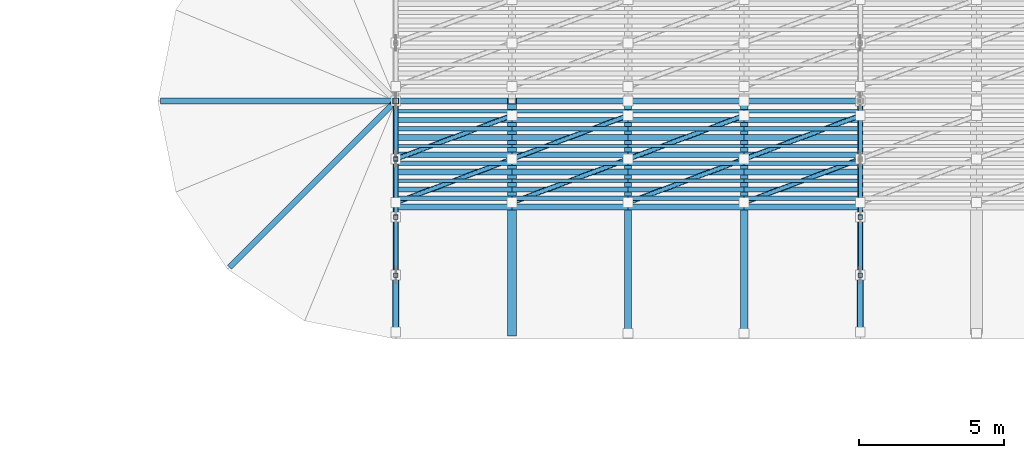
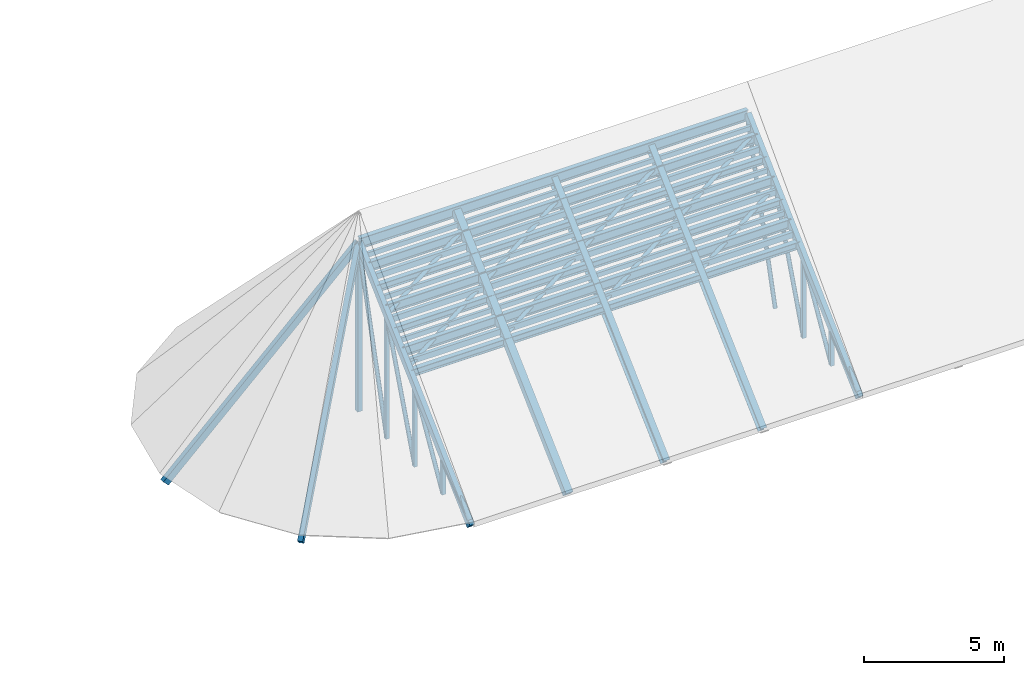
# One storey, part 1 of 18: 78 members.
"""IFC4 building model written with IfcOpenShell, lengths in metres."""

from ifc_helpers import new_model, si_unit, direction, frame, origin, origin_2d, place, context, subcontext, project, spatial, hollow_rectangle, hollow_circle, i_section, extrude, material, material_profile, profile_set, type_object, element, save


model = new_model("IFC4")

# Units and contexts
model_context = context("Model", 3, precision=1e-05, world=origin(), true_north=direction((0.0, 1.0)))
body_context = subcontext(model_context, "Body", "Model", "MODEL_VIEW")
ifc_project = project(units=[si_unit("LENGTHUNIT", "METRE"), si_unit("AREAUNIT", "SQUARE_METRE"), si_unit("VOLUMEUNIT", "CUBIC_METRE"), si_unit("PLANEANGLEUNIT", "RADIAN"), si_unit("MASSUNIT", "GRAM", prefix="KILO")], contexts=[model_context])

# Site, building, storey
site_placement = place(None, origin())
site = spatial("IfcSite", under=ifc_project, at=site_placement, CompositionType="ELEMENT")
building_placement = place(site_placement, origin())
building = spatial("IfcBuilding", under=site, at=building_placement, Name="Serraluz Foothill Cableway Terminal", CompositionType="ELEMENT")
storey_placement = place(building_placement, frame((0.0, 0.0, 24.300048828125)))
storey = spatial("IfcBuildingStorey", under=building, at=storey_placement, Name="RF", CompositionType="ELEMENT", Elevation=24.300048828125)

# Members
ifc_material_1 = material(Name="Steel ASTM A572 Grade 50", Category="steel")
ifc_material_profile_1 = material_profile(ifc_material_1, hollow_circle(Radius=0.084228515625, WallThickness=0.010009765625, at=origin_2d()), Name="CHS168X10")
ifc_profile_set_1 = profile_set([ifc_material_profile_1], Name="Steel ASTM A572 Grade 50")
member_type_1 = type_object("IfcMemberType", Name="TYP-BR-CHS168", PredefinedType="BRACE", material=ifc_profile_set_1)
member_1_placement = place(storey_placement, frame((40.0, 58.0302734375, -4.568115234375), z_axis=(0.0, 0.502584169831, 0.864528283074), x_axis=(-1.0, 0.0, 0.0)))
element("IfcMember", 1, at=member_1_placement, inside=storey, type_object=member_type_1, Name="ROOF TRUSS TR-01 Diagonal 2", PredefinedType="BRACE", context=body_context, shape_type="SweptSolid", body=[
    extrude(hollow_circle(Radius=0.084228515625, WallThickness=0.010009765625, at=origin_2d()), origin(), (0.0, 0.0, 1.0), 3.85888671875),
])
member_2_placement = place(storey_placement, frame((40.0, 60.02099609375, -4.56396484375), z_axis=(0.0, 0.352230195063, 0.935913398604), x_axis=(-1.0, 0.0, 0.0)))
element("IfcMember", 2, at=member_2_placement, inside=storey, type_object=member_type_1, Name="ROOF TRUSS TR-01 Diagonal 3", PredefinedType="BRACE", context=body_context, shape_type="SweptSolid", body=[
    extrude(hollow_circle(Radius=0.084228515625, WallThickness=0.010009765625, at=origin_2d()), origin(), (0.0, 0.0, 1.0), 5.558837890625),
])
member_3_placement = place(storey_placement, frame((40.0, 62.01611328125, -4.562255859375), z_axis=(0.0, 0.26797823219, 0.963424967017), x_axis=(-1.0, 0.0, 0.0)))
element("IfcMember", 3, at=member_3_placement, inside=storey, type_object=member_type_1, Name="ROOF TRUSS TR-01 Diagonal 4", PredefinedType="BRACE", context=body_context, shape_type="SweptSolid", body=[
    extrude(hollow_circle(Radius=0.084228515625, WallThickness=0.010009765625, at=origin_2d()), origin(), (0.0, 0.0, 1.0), 7.343017578125),
])
member_4_placement = place(storey_placement, frame((56.0, 58.0302734375, -4.568115234375), z_axis=(0.0, 0.502584169831, 0.864528283074), x_axis=(-1.0, 0.0, 0.0)))
element("IfcMember", 4, at=member_4_placement, inside=storey, type_object=member_type_1, Name="ROOF TRUSS TR-02 Diagonal 2", PredefinedType="BRACE", context=body_context, shape_type="SweptSolid", body=[
    extrude(hollow_circle(Radius=0.084228515625, WallThickness=0.010009765625, at=origin_2d()), origin(), (0.0, 0.0, 1.0), 3.85888671875),
])
member_5_placement = place(storey_placement, frame((56.0, 60.02099609375, -4.56396484375), z_axis=(0.0, 0.352230195063, 0.935913398604), x_axis=(-1.0, 0.0, 0.0)))
element("IfcMember", 5, at=member_5_placement, inside=storey, type_object=member_type_1, Name="ROOF TRUSS TR-02 Diagonal 3", PredefinedType="BRACE", context=body_context, shape_type="SweptSolid", body=[
    extrude(hollow_circle(Radius=0.084228515625, WallThickness=0.010009765625, at=origin_2d()), origin(), (0.0, 0.0, 1.0), 5.558837890625),
])
member_6_placement = place(storey_placement, frame((56.0, 62.01611328125, -4.562255859375), z_axis=(0.0, 0.26797823219, 0.963424967017), x_axis=(-1.0, 0.0, 0.0)))
element("IfcMember", 6, at=member_6_placement, inside=storey, type_object=member_type_1, Name="ROOF TRUSS TR-02 Diagonal 4", PredefinedType="BRACE", context=body_context, shape_type="SweptSolid", body=[
    extrude(hollow_circle(Radius=0.084228515625, WallThickness=0.010009765625, at=origin_2d()), origin(), (0.0, 0.0, 1.0), 7.343017578125),
])
for number, where, z_axis, x_axis, name in (
    (7, (40.0, 60.5, -0.641357421875), (0.889382269185, 0.333518350944, 0.31267345401), (-0.351123441588, 0.936329177569, 0.0), "Roof Lateral Wind Brace 0025"),
    (8, (40.0, 62.0, 0.764892578125), (0.889382269185, 0.333518350944, 0.31267345401), (-0.351123441588, 0.936329177569, 0.0), "Roof Lateral Wind Brace 0026"),
    (9, (44.0, 60.5, -0.641357421875), (0.889382269185, 0.333518350944, 0.31267345401), (-0.351123441588, 0.936329177569, 0.0), "Roof Lateral Wind Brace 0053"),
    (10, (44.0, 62.0, 0.764892578125), (0.889382269185, 0.333518350944, 0.31267345401), (-0.351123441588, 0.936329177569, 0.0), "Roof Lateral Wind Brace 0054"),
    (11, (48.0, 60.5, -0.641357421875), (0.889382269185, 0.333518350944, 0.31267345401), (-0.351123441588, 0.936329177569, 0.0), "Roof Lateral Wind Brace 0081"),
    (12, (48.0, 62.0, 0.764892578125), (0.889382269185, 0.333518350944, 0.31267345401), (-0.351123441588, 0.936329177569, 0.0), "Roof Lateral Wind Brace 0082"),
    (13, (52.0, 60.5, -0.641357421875), (0.889382269185, 0.333518350944, 0.31267345401), (-0.351123441588, 0.936329177569, 0.0), "Roof Lateral Wind Brace 0109"),
    (14, (52.0, 62.0, 0.764892578125), (0.889382269185, 0.333518350944, 0.31267345401), (-0.351123441588, 0.936329177569, 0.0), "Roof Lateral Wind Brace 0110"),
):
    element("IfcMember", number, at=place(storey_placement, frame(where, z_axis=z_axis, x_axis=x_axis)), inside=storey, type_object=member_type_1, Name=name, PredefinedType="BRACE", context=body_context, shape_type="SweptSolid", body=[
        extrude(hollow_circle(Radius=0.084228515625, WallThickness=0.010009765625, at=origin_2d()), origin(), (0.0, 0.0, 1.0), 4.49755859375),
    ])
ifc_material_profile_2 = material_profile(ifc_material_1, hollow_circle(Radius=0.109619140625, WallThickness=0.011962890625, at=origin_2d()), Name="CHS219X12")
ifc_profile_set_2 = profile_set([ifc_material_profile_2], Name="Steel ASTM A572 Grade 50")
member_type_2 = type_object("IfcMemberType", Name="TYP-BR-CHS219", PredefinedType="BRACE", material=ifc_profile_set_2)
for number, where, z_axis, x_axis, name in (
    (15, (40.0, 56.04736328125, -4.5830078125), (0.0, 0.787528424659, 0.616278330265), (-1.0, 0.0, 0.0), "ROOF TRUSS TR-01 Diagonal 1"),
    (16, (56.0, 56.04736328125, -4.5830078125), (0.0, 0.787528424659, 0.616278330265), (-1.0, 0.0, 0.0), "ROOF TRUSS TR-02 Diagonal 1"),
):
    element("IfcMember", number, at=place(storey_placement, frame(where, z_axis=z_axis, x_axis=x_axis)), inside=storey, type_object=member_type_2, Name=name, PredefinedType="BRACE", context=body_context, shape_type="SweptSolid", body=[
        extrude(hollow_circle(Radius=0.109619140625, WallThickness=0.011962890625, at=origin_2d()), origin(), (0.0, 0.0, 1.0), 2.419189453125),
    ])
ifc_material_profile_3 = material_profile(ifc_material_1, hollow_rectangle(XDim=0.14990234375, YDim=0.14990234375, WallThickness=0.010009765625, at=origin_2d()), Name="HSS150X150X10")
ifc_profile_set_3 = profile_set([ifc_material_profile_3], Name="Steel ASTM A572 Grade 50")
member_type_3 = type_object("IfcMemberType", Name="TYP-BR-HSS150", PredefinedType="BRACE", material=ifc_profile_set_3)
member_7_placement = place(storey_placement, frame((40.0, 58.0, -4.610107421875), z_axis=(0.0, 0.0, 1.0), x_axis=(1.0, 0.0, 0.0)))
element("IfcMember", 17, at=member_7_placement, inside=storey, type_object=member_type_3, Name="ROOF TRUSS TR-01 Web Post 1", PredefinedType="BRACE", context=body_context, shape_type="SweptSolid", body=[
    extrude(hollow_rectangle(XDim=0.14990234375, YDim=0.14990234375, WallThickness=0.010009765625, at=origin_2d()), origin(), (0.0, 0.0, 1.0), 1.545166015625),
])
member_8_placement = place(storey_placement, frame((40.0, 60.0, -4.610107421875), z_axis=(0.0, 0.0, 1.0), x_axis=(1.0, 0.0, 0.0)))
element("IfcMember", 18, at=member_8_placement, inside=storey, type_object=member_type_3, Name="ROOF TRUSS TR-01 Web Post 2", PredefinedType="BRACE", context=body_context, shape_type="SweptSolid", body=[
    extrude(hollow_rectangle(XDim=0.14990234375, YDim=0.14990234375, WallThickness=0.010009765625, at=origin_2d()), origin(), (0.0, 0.0, 1.0), 3.420166015625),
])
member_9_placement = place(storey_placement, frame((40.0, 62.0, -4.610107421875), z_axis=(0.0, 0.0, 1.0), x_axis=(1.0, 0.0, 0.0)))
element("IfcMember", 19, at=member_9_placement, inside=storey, type_object=member_type_3, Name="ROOF TRUSS TR-01 Web Post 3", PredefinedType="BRACE", context=body_context, shape_type="SweptSolid", body=[
    extrude(hollow_rectangle(XDim=0.14990234375, YDim=0.14990234375, WallThickness=0.010009765625, at=origin_2d()), origin(), (0.0, 0.0, 1.0), 5.295166015625),
])
member_10_placement = place(storey_placement, frame((56.0, 58.0, -4.610107421875), z_axis=(0.0, 0.0, 1.0), x_axis=(1.0, 0.0, 0.0)))
element("IfcMember", 20, at=member_10_placement, inside=storey, type_object=member_type_3, Name="ROOF TRUSS TR-02 Web Post 1", PredefinedType="BRACE", context=body_context, shape_type="SweptSolid", body=[
    extrude(hollow_rectangle(XDim=0.14990234375, YDim=0.14990234375, WallThickness=0.010009765625, at=origin_2d()), origin(), (0.0, 0.0, 1.0), 1.545166015625),
])
member_11_placement = place(storey_placement, frame((56.0, 60.0, -4.610107421875), z_axis=(0.0, 0.0, 1.0), x_axis=(1.0, 0.0, 0.0)))
element("IfcMember", 21, at=member_11_placement, inside=storey, type_object=member_type_3, Name="ROOF TRUSS TR-02 Web Post 2", PredefinedType="BRACE", context=body_context, shape_type="SweptSolid", body=[
    extrude(hollow_rectangle(XDim=0.14990234375, YDim=0.14990234375, WallThickness=0.010009765625, at=origin_2d()), origin(), (0.0, 0.0, 1.0), 3.420166015625),
])
ifc_material_profile_4 = material_profile(ifc_material_1, hollow_rectangle(XDim=0.199951171875, YDim=0.199951171875, WallThickness=0.011962890625, at=origin_2d()), Name="HSS200X200X12")
ifc_profile_set_4 = profile_set([ifc_material_profile_4], Name="Steel ASTM A572 Grade 50")
member_type_4 = type_object("IfcMemberType", Name="TYP-BR-HSS200", PredefinedType="BRACE", material=ifc_profile_set_4)
member_12_placement = place(storey_placement, frame((40.0, 64.0, -4.610107421875), z_axis=(0.0, 0.0, 1.0), x_axis=(1.0, 0.0, 0.0)))
element("IfcMember", 22, at=member_12_placement, inside=storey, type_object=member_type_4, Name="ROOF TRUSS TR-01 Web Post 4", PredefinedType="BRACE", context=body_context, shape_type="SweptSolid", body=[
    extrude(hollow_rectangle(XDim=0.199951171875, YDim=0.199951171875, WallThickness=0.011962890625, at=origin_2d()), origin(), (0.0, 0.0, 1.0), 7.170166015625),
])
ifc_material_2 = material(Name="Steel ASTM A992 Grade 50", Category="steel")
ifc_material_profile_5 = material_profile(ifc_material_2, i_section(OverallWidth=0.25390625, OverallDepth=0.35595703125, WebThickness=0.010498046875, FlangeThickness=0.018310546875, FilletRadius=0.014892578125, at=origin_2d()), Name="W14X68")
ifc_profile_set_5 = profile_set([ifc_material_profile_5], Name="Steel ASTM A992 Grade 50")
member_type_5 = type_object("IfcMemberType", Name="TYP-BR-W14X68", PredefinedType="BRACE", material=ifc_profile_set_5)
member_13_placement = place(storey_placement, frame((48.0, 56.0, -4.800048828125), z_axis=(0.0, 0.72953720414, 0.683941128881), x_axis=(-1.0, 0.0, 0.0)))
element("IfcMember", 23, at=member_13_placement, inside=storey, type_object=member_type_5, Name="Secondary Roof Rafter 0003", PredefinedType="BRACE", context=body_context, shape_type="SweptSolid", body=[
    extrude(i_section(OverallWidth=0.25390625, OverallDepth=0.35595703125, WebThickness=0.010498046875, FlangeThickness=0.018310546875, FilletRadius=0.014892578125, at=origin_2d()), origin(), (0.0, 0.0, 1.0), 10.9658203125),
])
ifc_material_profile_6 = material_profile(ifc_material_1, hollow_rectangle(XDim=0.300048828125, YDim=0.300048828125, WallThickness=0.01611328125, at=origin_2d()), Name="HSS300X300X16")
ifc_profile_set_6 = profile_set([ifc_material_profile_6], Name="Steel ASTM A572 Grade 50")
member_type_6 = type_object("IfcMemberType", Name="TYP-CH-HSS300", PredefinedType="CHORD", material=ifc_profile_set_6)
member_14_placement = place(storey_placement, frame((44.0, 56.0, -4.800048828125), z_axis=(0.0, 0.72953720414, 0.683941128881), x_axis=(-1.0, 0.0, 0.0)))
element("IfcMember", 24, at=member_14_placement, inside=storey, type_object=member_type_6, Name="Secondary Roof Rafter 0001", PredefinedType="CHORD", context=body_context, shape_type="SweptSolid", body=[
    extrude(hollow_rectangle(XDim=0.300048828125, YDim=0.300048828125, WallThickness=0.01611328125, at=origin_2d()), origin(), (0.0, 0.0, 1.0), 10.9658203125),
])
ifc_material_profile_7 = material_profile(ifc_material_1, hollow_rectangle(XDim=0.199951171875, YDim=0.300048828125, WallThickness=0.011962890625, at=origin_2d()), Name="HSS300X200X12")
ifc_profile_set_7 = profile_set([ifc_material_profile_7], Name="Steel ASTM A572 Grade 50")
member_type_7 = type_object("IfcMemberType", Name="TYP-CH-HSS300X200", PredefinedType="CHORD", material=ifc_profile_set_7)
for number, where, z_axis, x_axis, name in (
    (25, (40.0, 56.0, -4.800048828125), (0.0, 0.72953720414, 0.683941128881), (-1.0, 0.0, 0.0), "ROOF TRUSS TR-01 Top Chord 1"),
    (26, (56.0, 56.0, -4.800048828125), (0.0, 0.72953720414, 0.683941128881), (-1.0, 0.0, 0.0), "ROOF TRUSS TR-02 Top Chord 1"),
):
    element("IfcMember", number, at=place(storey_placement, frame(where, z_axis=z_axis, x_axis=x_axis)), inside=storey, type_object=member_type_7, Name=name, PredefinedType="CHORD", context=body_context, shape_type="SweptSolid", body=[
        extrude(hollow_rectangle(XDim=0.199951171875, YDim=0.300048828125, WallThickness=0.011962890625, at=origin_2d()), origin(), (0.0, 0.0, 1.0), 10.9658203125),
    ])
member_15_placement = place(storey_placement, frame((34.343017578125, 58.343017578125, -4.949951171875), z_axis=(0.511062967446, 0.511062967446, 0.691107290231), x_axis=(-0.707106781187, 0.707106781187, 0.0)))
element("IfcMember", 27, at=member_15_placement, inside=storey, type_object=member_type_7, Name="Rounded Apse Roof Hip Rafter W-1", PredefinedType="CHORD", context=body_context, shape_type="SweptSolid", body=[
    extrude(hollow_rectangle(XDim=0.199951171875, YDim=0.300048828125, WallThickness=0.011962890625, at=origin_2d()), origin(), (0.0, 0.0, 1.0), 11.069091796875),
])
member_16_placement = place(storey_placement, frame((32.0, 64.0, -4.949951171875), z_axis=(0.722744358151, 0.0, 0.691115469919), x_axis=(0.0, 1.0, 0.0)))
element("IfcMember", 28, at=member_16_placement, inside=storey, type_object=member_type_7, Name="Rounded Apse Roof Hip Rafter W-2", PredefinedType="CHORD", context=body_context, shape_type="SweptSolid", body=[
    extrude(hollow_rectangle(XDim=0.199951171875, YDim=0.300048828125, WallThickness=0.011962890625, at=origin_2d()), origin(), (0.0, 0.0, 1.0), 11.06884765625),
])
ifc_material_profile_8 = material_profile(ifc_material_1, hollow_rectangle(XDim=0.1201171875, YDim=0.199951171875, WallThickness=0.008056640625, at=origin_2d()), Name="HSS200X120X8")
ifc_profile_set_8 = profile_set([ifc_material_profile_8], Name="Steel ASTM A572 Grade 50")
member_type_8 = type_object("IfcMemberType", Name="TYP-PR-HSS200X120", PredefinedType="PURLIN", material=ifc_profile_set_8)
for number, where, z_axis, x_axis, name in (
    (29, (40.0, 61.25, 0.081787109375), (1.0, 0.0, 0.0), (0.0, 1.0, 0.0), "Secondary Roof Purlin 0004"),
    (30, (40.0, 62.449951171875, 1.206787109375), (1.0, 0.0, 0.0), (0.0, 1.0, 0.0), "Secondary Roof Purlin 0008"),
    (31, (40.0, 63.64990234375, 2.331787109375), (1.0, 0.0, 0.0), (0.0, 1.0, 0.0), "Secondary Roof Purlin 0012"),
    (32, (44.0, 61.25, 0.081787109375), (1.0, 0.0, 0.0), (0.0, 1.0, 0.0), "Secondary Roof Purlin 0032"),
    (33, (44.0, 62.449951171875, 1.206787109375), (1.0, 0.0, 0.0), (0.0, 1.0, 0.0), "Secondary Roof Purlin 0036"),
    (34, (44.0, 63.64990234375, 2.331787109375), (1.0, 0.0, 0.0), (0.0, 1.0, 0.0), "Secondary Roof Purlin 0040"),
    (35, (48.0, 61.25, 0.081787109375), (1.0, 0.0, 0.0), (0.0, 1.0, 0.0), "Secondary Roof Purlin 0060"),
    (36, (48.0, 62.449951171875, 1.206787109375), (1.0, 0.0, 0.0), (0.0, 1.0, 0.0), "Secondary Roof Purlin 0064"),
    (37, (48.0, 63.64990234375, 2.331787109375), (1.0, 0.0, 0.0), (0.0, 1.0, 0.0), "Secondary Roof Purlin 0068"),
    (38, (52.0, 61.25, 0.081787109375), (1.0, 0.0, 0.0), (0.0, 1.0, 0.0), "Secondary Roof Purlin 0088"),
    (39, (52.0, 62.449951171875, 1.206787109375), (1.0, 0.0, 0.0), (0.0, 1.0, 0.0), "Secondary Roof Purlin 0092"),
    (40, (52.0, 63.64990234375, 2.331787109375), (1.0, 0.0, 0.0), (0.0, 1.0, 0.0), "Secondary Roof Purlin 0096"),
):
    element("IfcMember", number, at=place(storey_placement, frame(where, z_axis=z_axis, x_axis=x_axis)), inside=storey, type_object=member_type_8, Name=name, PredefinedType="PURLIN", context=body_context, shape_type="SweptSolid", body=[
        extrude(hollow_rectangle(XDim=0.1201171875, YDim=0.199951171875, WallThickness=0.008056640625, at=origin_2d()), origin(), (0.0, 0.0, 1.0), 4.0),
    ])
ifc_material_profile_9 = material_profile(ifc_material_1, hollow_rectangle(XDim=0.14990234375, YDim=0.25, WallThickness=0.010009765625, at=origin_2d()), Name="HSS250X150X10")
ifc_profile_set_9 = profile_set([ifc_material_profile_9], Name="Steel ASTM A572 Grade 50")
member_type_9 = type_object("IfcMemberType", Name="TYP-PR-HSS250X150", PredefinedType="PURLIN", material=ifc_profile_set_9)
for number, where, z_axis, x_axis, name in (
    (41, (40.0, 60.64990234375, -0.480712890625), (1.0, 0.0, 0.0), (0.0, 1.0, 0.0), "Secondary Roof Purlin 0002"),
    (42, (40.0, 61.85009765625, 0.644287109375), (1.0, 0.0, 0.0), (0.0, 1.0, 0.0), "Secondary Roof Purlin 0006"),
    (43, (40.0, 63.050048828125, 1.769287109375), (1.0, 0.0, 0.0), (0.0, 1.0, 0.0), "Secondary Roof Purlin 0010"),
    (44, (44.0, 60.64990234375, -0.480712890625), (1.0, 0.0, 0.0), (0.0, 1.0, 0.0), "Secondary Roof Purlin 0030"),
    (45, (44.0, 61.85009765625, 0.644287109375), (1.0, 0.0, 0.0), (0.0, 1.0, 0.0), "Secondary Roof Purlin 0034"),
    (46, (44.0, 63.050048828125, 1.769287109375), (1.0, 0.0, 0.0), (0.0, 1.0, 0.0), "Secondary Roof Purlin 0038"),
    (47, (48.0, 60.64990234375, -0.480712890625), (1.0, 0.0, 0.0), (0.0, 1.0, 0.0), "Secondary Roof Purlin 0058"),
    (48, (48.0, 61.85009765625, 0.644287109375), (1.0, 0.0, 0.0), (0.0, 1.0, 0.0), "Secondary Roof Purlin 0062"),
    (49, (48.0, 63.050048828125, 1.769287109375), (1.0, 0.0, 0.0), (0.0, 1.0, 0.0), "Secondary Roof Purlin 0066"),
    (50, (52.0, 60.64990234375, -0.480712890625), (1.0, 0.0, 0.0), (0.0, 1.0, 0.0), "Secondary Roof Purlin 0086"),
    (51, (52.0, 61.85009765625, 0.644287109375), (1.0, 0.0, 0.0), (0.0, 1.0, 0.0), "Secondary Roof Purlin 0090"),
    (52, (52.0, 63.050048828125, 1.769287109375), (1.0, 0.0, 0.0), (0.0, 1.0, 0.0), "Secondary Roof Purlin 0094"),
):
    element("IfcMember", number, at=place(storey_placement, frame(where, z_axis=z_axis, x_axis=x_axis)), inside=storey, type_object=member_type_9, Name=name, PredefinedType="PURLIN", context=body_context, shape_type="SweptSolid", body=[
        extrude(hollow_rectangle(XDim=0.14990234375, YDim=0.25, WallThickness=0.010009765625, at=origin_2d()), origin(), (0.0, 0.0, 1.0), 4.0),
    ])
ifc_material_profile_10 = material_profile(ifc_material_2, i_section(OverallWidth=0.205078125, OverallDepth=0.31005859375, WebThickness=0.009521484375, FlangeThickness=0.016357421875, FilletRadius=0.012939453125, at=origin_2d()), Name="W12X50")
ifc_profile_set_10 = profile_set([ifc_material_profile_10], Name="Steel ASTM A992 Grade 50")
member_type_10 = type_object("IfcMemberType", Name="TYP-PR-W12X50", PredefinedType="PURLIN", material=ifc_profile_set_10)
for number, where, z_axis, x_axis, name in (
    (53, (40.0, 60.35009765625, -0.761962890625), (1.0, 0.0, 0.0), (0.0, 1.0, 0.0), "Secondary Roof Purlin 0001"),
    (54, (40.0, 61.550048828125, 0.363037109375), (1.0, 0.0, 0.0), (0.0, 1.0, 0.0), "Secondary Roof Purlin 0005"),
    (55, (40.0, 62.75, 1.488037109375), (1.0, 0.0, 0.0), (0.0, 1.0, 0.0), "Secondary Roof Purlin 0009"),
    (56, (44.0, 60.35009765625, -0.761962890625), (1.0, 0.0, 0.0), (0.0, 1.0, 0.0), "Secondary Roof Purlin 0029"),
    (57, (44.0, 61.550048828125, 0.363037109375), (1.0, 0.0, 0.0), (0.0, 1.0, 0.0), "Secondary Roof Purlin 0033"),
    (58, (44.0, 62.75, 1.488037109375), (1.0, 0.0, 0.0), (0.0, 1.0, 0.0), "Secondary Roof Purlin 0037"),
    (59, (48.0, 60.35009765625, -0.761962890625), (1.0, 0.0, 0.0), (0.0, 1.0, 0.0), "Secondary Roof Purlin 0057"),
    (60, (48.0, 61.550048828125, 0.363037109375), (1.0, 0.0, 0.0), (0.0, 1.0, 0.0), "Secondary Roof Purlin 0061"),
    (61, (48.0, 62.75, 1.488037109375), (1.0, 0.0, 0.0), (0.0, 1.0, 0.0), "Secondary Roof Purlin 0065"),
    (62, (52.0, 60.35009765625, -0.761962890625), (1.0, 0.0, 0.0), (0.0, 1.0, 0.0), "Secondary Roof Purlin 0085"),
    (63, (52.0, 61.550048828125, 0.363037109375), (1.0, 0.0, 0.0), (0.0, 1.0, 0.0), "Secondary Roof Purlin 0089"),
    (64, (52.0, 62.75, 1.488037109375), (1.0, 0.0, 0.0), (0.0, 1.0, 0.0), "Secondary Roof Purlin 0093"),
):
    element("IfcMember", number, at=place(storey_placement, frame(where, z_axis=z_axis, x_axis=x_axis)), inside=storey, type_object=member_type_10, Name=name, PredefinedType="PURLIN", context=body_context, shape_type="SweptSolid", body=[
        extrude(i_section(OverallWidth=0.205078125, OverallDepth=0.31005859375, WebThickness=0.009521484375, FlangeThickness=0.016357421875, FilletRadius=0.012939453125, at=origin_2d()), origin(), (0.0, 0.0, 1.0), 4.0),
    ])
ifc_material_profile_11 = material_profile(ifc_material_2, i_section(OverallWidth=0.180908203125, OverallDepth=0.4169921875, WebThickness=0.010986328125, FlangeThickness=0.018310546875, FilletRadius=0.013916015625, at=origin_2d()), Name="W16X57")
ifc_profile_set_11 = profile_set([ifc_material_profile_11], Name="Steel ASTM A992 Grade 50")
member_type_11 = type_object("IfcMemberType", Name="TYP-PR-W16X57", PredefinedType="PURLIN", material=ifc_profile_set_11)
for number, where, z_axis, x_axis, name in (
    (65, (40.0, 60.949951171875, -0.199462890625), (1.0, 0.0, 0.0), (0.0, 1.0, 0.0), "Secondary Roof Purlin 0003"),
    (66, (40.0, 62.14990234375, 0.925537109375), (1.0, 0.0, 0.0), (0.0, 1.0, 0.0), "Secondary Roof Purlin 0007"),
    (67, (40.0, 63.35009765625, 2.050537109375), (1.0, 0.0, 0.0), (0.0, 1.0, 0.0), "Secondary Roof Purlin 0011"),
    (68, (44.0, 60.949951171875, -0.199462890625), (1.0, 0.0, 0.0), (0.0, 1.0, 0.0), "Secondary Roof Purlin 0031"),
    (69, (44.0, 62.14990234375, 0.925537109375), (1.0, 0.0, 0.0), (0.0, 1.0, 0.0), "Secondary Roof Purlin 0035"),
    (70, (44.0, 63.35009765625, 2.050537109375), (1.0, 0.0, 0.0), (0.0, 1.0, 0.0), "Secondary Roof Purlin 0039"),
    (71, (48.0, 60.949951171875, -0.199462890625), (1.0, 0.0, 0.0), (0.0, 1.0, 0.0), "Secondary Roof Purlin 0059"),
    (72, (48.0, 62.14990234375, 0.925537109375), (1.0, 0.0, 0.0), (0.0, 1.0, 0.0), "Secondary Roof Purlin 0063"),
    (73, (48.0, 63.35009765625, 2.050537109375), (1.0, 0.0, 0.0), (0.0, 1.0, 0.0), "Secondary Roof Purlin 0067"),
    (74, (52.0, 60.949951171875, -0.199462890625), (1.0, 0.0, 0.0), (0.0, 1.0, 0.0), "Secondary Roof Purlin 0087"),
    (75, (52.0, 62.14990234375, 0.925537109375), (1.0, 0.0, 0.0), (0.0, 1.0, 0.0), "Secondary Roof Purlin 0091"),
    (76, (52.0, 63.35009765625, 2.050537109375), (1.0, 0.0, 0.0), (0.0, 1.0, 0.0), "Secondary Roof Purlin 0095"),
):
    element("IfcMember", number, at=place(storey_placement, frame(where, z_axis=z_axis, x_axis=x_axis)), inside=storey, type_object=member_type_11, Name=name, PredefinedType="PURLIN", context=body_context, shape_type="SweptSolid", body=[
        extrude(i_section(OverallWidth=0.180908203125, OverallDepth=0.4169921875, WebThickness=0.010986328125, FlangeThickness=0.018310546875, FilletRadius=0.013916015625, at=origin_2d()), origin(), (0.0, 0.0, 1.0), 4.0),
    ])
ifc_material_profile_12 = material_profile(ifc_material_2, i_section(OverallWidth=0.193115234375, OverallDepth=0.467041015625, WebThickness=0.011474609375, FlangeThickness=0.01904296875, FilletRadius=0.014892578125, at=origin_2d()), Name="W18X65")
ifc_profile_set_12 = profile_set([ifc_material_profile_12], Name="Steel ASTM A992 Grade 50")
member_type_12 = type_object("IfcMemberType", Name="TYP-PR-W18X65", PredefinedType="PURLIN", material=ifc_profile_set_12)
member_17_placement = place(storey_placement, frame((40.0, 64.0, 2.679931640625), z_axis=(1.0, 0.0, 0.0), x_axis=(0.0, 1.0, 0.0)))
element("IfcMember", 77, at=member_17_placement, inside=storey, type_object=member_type_12, Name="Primary Roof Ridge/Eave Purlin 1-64", PredefinedType="PURLIN", context=body_context, shape_type="SweptSolid", body=[
    extrude(i_section(OverallWidth=0.193115234375, OverallDepth=0.467041015625, WebThickness=0.011474609375, FlangeThickness=0.01904296875, FilletRadius=0.014892578125, at=origin_2d()), origin(), (0.0, 0.0, 1.0), 16.0),
])
ifc_material_profile_13 = material_profile(ifc_material_2, i_section(OverallWidth=0.25390625, OverallDepth=0.31103515625, WebThickness=0.010986328125, FlangeThickness=0.01708984375, FilletRadius=0.012939453125, at=origin_2d()), Name="W12X72")
ifc_profile_set_13 = profile_set([ifc_material_profile_13], Name="Steel ASTM A992 Grade 50")
member_type_13 = type_object("IfcMemberType", Name="TYP-ST-W12X72", PredefinedType="STRUT", material=ifc_profile_set_13)
member_18_placement = place(storey_placement, frame((52.0, 56.0, -4.800048828125), z_axis=(0.0, 0.72953720414, 0.683941128881), x_axis=(-1.0, 0.0, 0.0)))
element("IfcMember", 78, at=member_18_placement, inside=storey, type_object=member_type_13, Name="Secondary Roof Rafter 0005", PredefinedType="STRUT", context=body_context, shape_type="SweptSolid", body=[
    extrude(i_section(OverallWidth=0.25390625, OverallDepth=0.31103515625, WebThickness=0.010986328125, FlangeThickness=0.01708984375, FilletRadius=0.012939453125, at=origin_2d()), origin(), (0.0, 0.0, 1.0), 10.9658203125),
])

save(model, "model.ifc")
